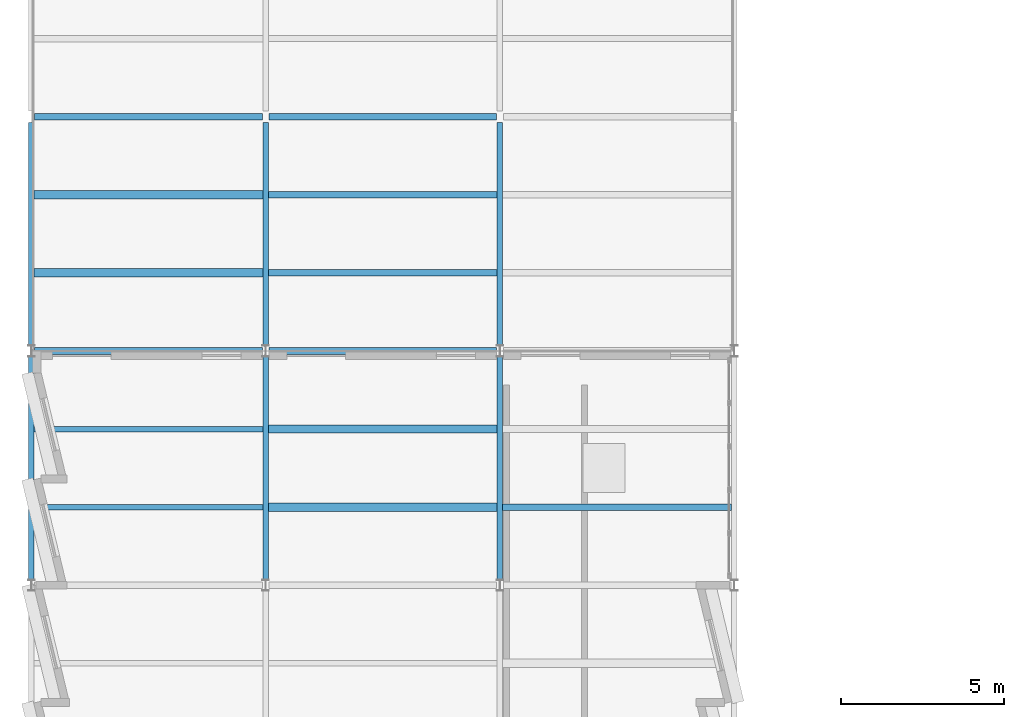
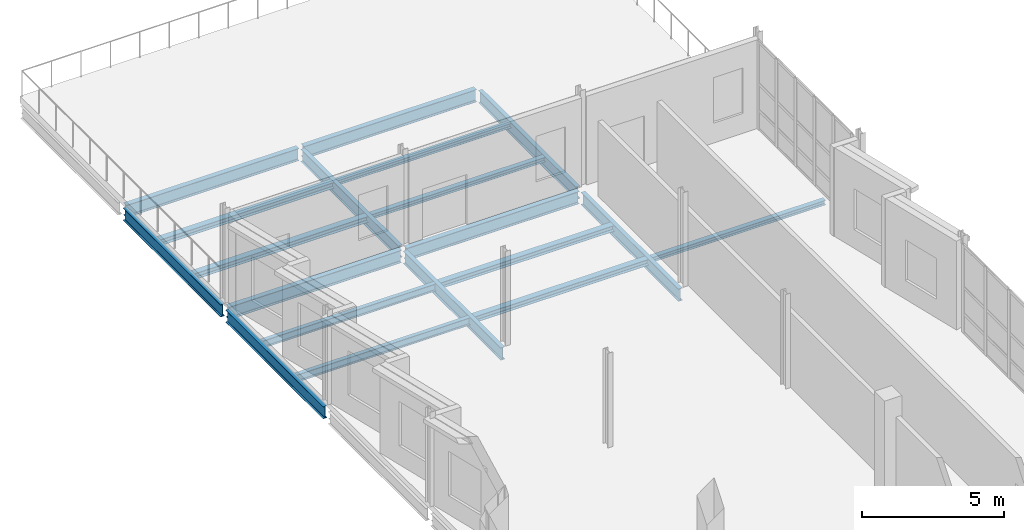
# One storey, part 17 of 33: 19 beams.
"""IFC4 building model written with IfcOpenShell, lengths in metres."""

from ifc_helpers import new_model, si_unit, direction, frame, origin, origin_2d, place, context, subcontext, project, spatial, i_section, extrude, material, material_profile, profile_set, type_object, element, save


model = new_model("IFC4")

# Units and contexts
model_context = context("Model", 3, precision=1e-05, world=origin(), true_north=direction((0.0, 1.0)))
body_context = subcontext(model_context, "Body", "Model", "MODEL_VIEW")
ifc_project = project(units=[si_unit("LENGTHUNIT", "METRE"), si_unit("AREAUNIT", "SQUARE_METRE"), si_unit("VOLUMEUNIT", "CUBIC_METRE"), si_unit("PLANEANGLEUNIT", "RADIAN"), si_unit("MASSUNIT", "GRAM", prefix="KILO")], contexts=[model_context])

# Site, building, storey
site_placement = place(None, origin())
site = spatial("IfcSite", under=ifc_project, at=site_placement, CompositionType="ELEMENT")
building_placement = place(site_placement, origin())
building = spatial("IfcBuilding", under=site, at=building_placement, Name="Kalmorath City Hall", CompositionType="ELEMENT")
storey_placement = place(building_placement, frame((0.0, 0.0, 22.949951171875)))
storey = spatial("IfcBuildingStorey", under=building, at=storey_placement, Name="L05", CompositionType="ELEMENT", Elevation=22.949951171875)

# Beams
ifc_material_1 = material(Name="Steel ASTM A992 Grade 50", Category="steel")
ifc_material_profile_1 = material_profile(ifc_material_1, i_section(OverallWidth=0.202880859375, OverallDepth=0.202880859375, WebThickness=0.007080078125, FlangeThickness=0.010986328125, FilletRadius=0.010986328125, at=origin_2d()), Name="W8X31")
ifc_profile_set_1 = profile_set([ifc_material_profile_1], Name="Steel ASTM A992 Grade 50")
beam_type_1 = type_object("IfcBeamType", Name="Steel edge trimmer W8X31", PredefinedType="LINTEL", material=ifc_profile_set_1)
for number, where, z_axis, x_axis, name in (
    (1, (7.283447265625, 88.800048828125, -0.3955078125), (1.0, 0.0, 0.0), (0.0, 1.0, 0.0), "L05 joist SJ16 2.13.1"),
    (2, (7.283447265625, 91.199951171875, -0.3955078125), (1.0, 0.0, 0.0), (0.0, 1.0, 0.0), "L05 joist SJ16 2.13.2"),
):
    element("IfcBeam", number, at=place(storey_placement, frame(where, z_axis=z_axis, x_axis=x_axis)), inside=storey, type_object=beam_type_1, Name=name, PredefinedType="LINTEL", context=body_context, shape_type="SweptSolid", body=[
        extrude(i_section(OverallWidth=0.202880859375, OverallDepth=0.202880859375, WebThickness=0.007080078125, FlangeThickness=0.010986328125, FilletRadius=0.010986328125, at=origin_2d()), origin(), (0.0, 0.0, 1.0), 7.032958984375),
    ])
beam_1_placement = place(storey_placement, frame((14.4833984375, 81.60009765625, -0.3955078125), z_axis=(1.0, 0.0, 0.0), x_axis=(0.0, 1.0, 0.0)))
element("IfcBeam", 3, at=beam_1_placement, inside=storey, type_object=beam_type_1, Name="L05 joist SJ16 3.12.1", PredefinedType="LINTEL", context=body_context, shape_type="SweptSolid", body=[
    extrude(i_section(OverallWidth=0.202880859375, OverallDepth=0.202880859375, WebThickness=0.007080078125, FlangeThickness=0.010986328125, FilletRadius=0.010986328125, at=origin_2d()), origin(), (0.0, 0.0, 1.0), 7.0341796875),
])
ifc_material_2 = material(Name="Steel ASTM A992 Grade 50", Category="steel")
ifc_material_profile_2 = material_profile(ifc_material_2, i_section(OverallWidth=0.1669921875, OverallDepth=0.534912109375, WebThickness=0.01025390625, FlangeThickness=0.0166015625, FilletRadius=0.014892578125, at=origin_2d()), Name="W21X57")
ifc_profile_set_2 = profile_set([ifc_material_profile_2], Name="Steel ASTM A992 Grade 50")
beam_type_2 = type_object("IfcBeamType", Name="Steel floor beam W21X57", PredefinedType="BEAM", material=ifc_profile_set_2)
for number, where, z_axis, x_axis, name in (
    (4, (7.199951171875, 79.375, -0.5615234375), (0.0, 1.0, 0.0), (-1.0, 0.0, 0.0), "L05 girder SB3 Y2/12-13"),
    (5, (7.199951171875, 86.574951171875, -0.5615234375), (0.0, 1.0, 0.0), (-1.0, 0.0, 0.0), "L05 girder SB3 Y2/13-14"),
    (6, (14.39990234375, 79.375, -0.5615234375), (0.0, 1.0, 0.0), (-1.0, 0.0, 0.0), "L05 girder SB3 Y3/12-13"),
    (7, (14.39990234375, 86.574951171875, -0.5615234375), (0.0, 1.0, 0.0), (-1.0, 0.0, 0.0), "L05 girder SB3 Y3/13-14"),
):
    element("IfcBeam", number, at=place(storey_placement, frame(where, z_axis=z_axis, x_axis=x_axis)), inside=storey, type_object=beam_type_2, Name=name, PredefinedType="BEAM", context=body_context, shape_type="SweptSolid", body=[
        extrude(i_section(OverallWidth=0.1669921875, OverallDepth=0.534912109375, WebThickness=0.01025390625, FlangeThickness=0.0166015625, FilletRadius=0.014892578125, at=origin_2d()), origin(), (0.0, 0.0, 1.0), 6.85009765625),
    ])
ifc_material_3 = material(Name="Steel ASTM A992 Grade 50", Category="steel")
ifc_material_profile_3 = material_profile(ifc_material_3, i_section(OverallWidth=0.208984375, OverallDepth=0.532958984375, WebThickness=0.01025390625, FlangeThickness=0.015625, FilletRadius=0.014892578125, at=origin_2d()), Name="W21X62")
ifc_profile_set_3 = profile_set([ifc_material_profile_3], Name="Steel ASTM A992 Grade 50")
beam_type_3 = type_object("IfcBeamType", Name="Steel floor beam W21X62", PredefinedType="BEAM", material=ifc_profile_set_3)
beam_2_placement = place(storey_placement, frame((0.10205078125, 86.39990234375, -0.560546875), z_axis=(1.0, 0.0, 0.0), x_axis=(0.0, 1.0, 0.0)))
element("IfcBeam", 8, at=beam_2_placement, inside=storey, type_object=beam_type_3, Name="L05 girder SB2 X1-2/13", PredefinedType="BEAM", context=body_context, shape_type="SweptSolid", body=[
    extrude(i_section(OverallWidth=0.208984375, OverallDepth=0.532958984375, WebThickness=0.01025390625, FlangeThickness=0.015625, FilletRadius=0.014892578125, at=origin_2d()), origin(), (0.0, 0.0, 1.0), 6.995849609375),
])
beam_3_placement = place(storey_placement, frame((7.302001953125, 86.39990234375, -0.560546875), z_axis=(1.0, 0.0, 0.0), x_axis=(0.0, 1.0, 0.0)))
element("IfcBeam", 9, at=beam_3_placement, inside=storey, type_object=beam_type_3, Name="L05 girder SB2 X2-3/13", PredefinedType="BEAM", context=body_context, shape_type="SweptSolid", body=[
    extrude(i_section(OverallWidth=0.208984375, OverallDepth=0.532958984375, WebThickness=0.01025390625, FlangeThickness=0.015625, FilletRadius=0.014892578125, at=origin_2d()), origin(), (0.0, 0.0, 1.0), 6.99609375),
])
beam_4_placement = place(storey_placement, frame((0.10205078125, 93.60009765625, -0.560546875), z_axis=(1.0, 0.0, 0.0), x_axis=(0.0, 1.0, 0.0)))
element("IfcBeam", 10, at=beam_4_placement, inside=storey, type_object=beam_type_3, Name="L05 girder SB2 X1-2/14", PredefinedType="BEAM", context=body_context, shape_type="SweptSolid", body=[
    extrude(i_section(OverallWidth=0.208984375, OverallDepth=0.532958984375, WebThickness=0.01025390625, FlangeThickness=0.015625, FilletRadius=0.014892578125, at=origin_2d()), origin(), (0.0, 0.0, 1.0), 6.995849609375),
])
beam_5_placement = place(storey_placement, frame((7.302001953125, 93.60009765625, -0.560546875), z_axis=(1.0, 0.0, 0.0), x_axis=(0.0, 1.0, 0.0)))
element("IfcBeam", 11, at=beam_5_placement, inside=storey, type_object=beam_type_3, Name="L05 girder SB2 X2-3/14", PredefinedType="BEAM", context=body_context, shape_type="SweptSolid", body=[
    extrude(i_section(OverallWidth=0.208984375, OverallDepth=0.532958984375, WebThickness=0.01025390625, FlangeThickness=0.015625, FilletRadius=0.014892578125, at=origin_2d()), origin(), (0.0, 0.0, 1.0), 6.99609375),
])
ifc_material_4 = material(Name="Steel ASTM A992 Grade 50", Category="steel")
ifc_material_profile_4 = material_profile(ifc_material_4, i_section(OverallWidth=0.1669921875, OverallDepth=0.318115234375, WebThickness=0.007568359375, FlangeThickness=0.01318359375, FilletRadius=0.012939453125, at=origin_2d()), Name="W12X35")
ifc_profile_set_4 = profile_set([ifc_material_profile_4], Name="Steel ASTM A992 Grade 50")
beam_type_4 = type_object("IfcBeamType", Name="Steel header lintel W12X35", PredefinedType="LINTEL", material=ifc_profile_set_4)
for number, where, z_axis, x_axis, name in (
    (12, (0.08251953125, 81.60009765625, -0.452880859375), (1.0, 0.0, 0.0), (0.0, 1.0, 0.0), "L05 joist SJ13 1.12.1"),
    (13, (0.08251953125, 84.0, -0.452880859375), (1.0, 0.0, 0.0), (0.0, 1.0, 0.0), "L05 joist SJ13 1.12.2"),
):
    element("IfcBeam", number, at=place(storey_placement, frame(where, z_axis=z_axis, x_axis=x_axis)), inside=storey, type_object=beam_type_4, Name=name, PredefinedType="LINTEL", context=body_context, shape_type="SweptSolid", body=[
        extrude(i_section(OverallWidth=0.1669921875, OverallDepth=0.318115234375, WebThickness=0.007568359375, FlangeThickness=0.01318359375, FilletRadius=0.012939453125, at=origin_2d()), origin(), (0.0, 0.0, 1.0), 7.033935546875),
    ])
ifc_material_5 = material(Name="Steel ASTM A992 Grade 50", Category="steel")
ifc_material_profile_5 = material_profile(ifc_material_5, i_section(OverallWidth=0.1650390625, OverallDepth=0.52490234375, WebThickness=0.0087890625, FlangeThickness=0.011474609375, FilletRadius=0.014892578125, at=origin_2d()), Name="W21X44")
ifc_profile_set_5 = profile_set([ifc_material_profile_5], Name="Steel ASTM A992 Grade 50")
beam_type_5 = type_object("IfcBeamType", Name="Steel spandrel beam W21X44", PredefinedType="SPANDREL", material=ifc_profile_set_5)
for number, where, z_axis, x_axis, name in (
    (14, (0.0, 79.375, -0.556396484375), (0.0, 1.0, 0.0), (-1.0, 0.0, 0.0), "L05 girder SB4 Y1/12-13"),
    (15, (0.0, 86.574951171875, -0.556396484375), (0.0, 1.0, 0.0), (-1.0, 0.0, 0.0), "L05 girder SB4 Y1/13-14"),
):
    element("IfcBeam", number, at=place(storey_placement, frame(where, z_axis=z_axis, x_axis=x_axis)), inside=storey, type_object=beam_type_5, Name=name, PredefinedType="SPANDREL", context=body_context, shape_type="SweptSolid", body=[
        extrude(i_section(OverallWidth=0.1650390625, OverallDepth=0.52490234375, WebThickness=0.0087890625, FlangeThickness=0.011474609375, FilletRadius=0.014892578125, at=origin_2d()), origin(), (0.0, 0.0, 1.0), 6.85009765625),
    ])
ifc_material_6 = material(Name="Steel ASTM A992 Grade 50", Category="steel")
ifc_material_profile_6 = material_profile(ifc_material_6, i_section(OverallWidth=0.25390625, OverallDepth=0.2529296875, WebThickness=0.008544921875, FlangeThickness=0.01416015625, FilletRadius=0.011962890625, at=origin_2d()), Name="W10X49")
ifc_profile_set_6 = profile_set([ifc_material_profile_6], Name="Steel ASTM A992 Grade 50")
beam_type_6 = type_object("IfcBeamType", Name="Steel trimmer beam W10X49", PredefinedType="BEAM", material=ifc_profile_set_6)
for number, where, z_axis, x_axis, name in (
    (16, (0.08251953125, 88.800048828125, -0.42041015625), (1.0, 0.0, 0.0), (0.0, 1.0, 0.0), "L05 joist SJ14 1.13.1"),
    (17, (0.08251953125, 91.199951171875, -0.42041015625), (1.0, 0.0, 0.0), (0.0, 1.0, 0.0), "L05 joist SJ14 1.13.2"),
):
    element("IfcBeam", number, at=place(storey_placement, frame(where, z_axis=z_axis, x_axis=x_axis)), inside=storey, type_object=beam_type_6, Name=name, PredefinedType="BEAM", context=body_context, shape_type="SweptSolid", body=[
        extrude(i_section(OverallWidth=0.25390625, OverallDepth=0.2529296875, WebThickness=0.008544921875, FlangeThickness=0.01416015625, FilletRadius=0.011962890625, at=origin_2d()), origin(), (0.0, 0.0, 1.0), 7.033935546875),
    ])
for number, where, z_axis, x_axis, name in (
    (18, (7.283447265625, 81.60009765625, -0.42041015625), (1.0, 0.0, 0.0), (0.0, 1.0, 0.0), "L05 joist SJ14 2.12.1"),
    (19, (7.283447265625, 84.0, -0.42041015625), (1.0, 0.0, 0.0), (0.0, 1.0, 0.0), "L05 joist SJ14 2.12.2"),
):
    element("IfcBeam", number, at=place(storey_placement, frame(where, z_axis=z_axis, x_axis=x_axis)), inside=storey, type_object=beam_type_6, Name=name, PredefinedType="BEAM", context=body_context, shape_type="SweptSolid", body=[
        extrude(i_section(OverallWidth=0.25390625, OverallDepth=0.2529296875, WebThickness=0.008544921875, FlangeThickness=0.01416015625, FilletRadius=0.011962890625, at=origin_2d()), origin(), (0.0, 0.0, 1.0), 7.032958984375),
    ])

save(model, "model.ifc")
